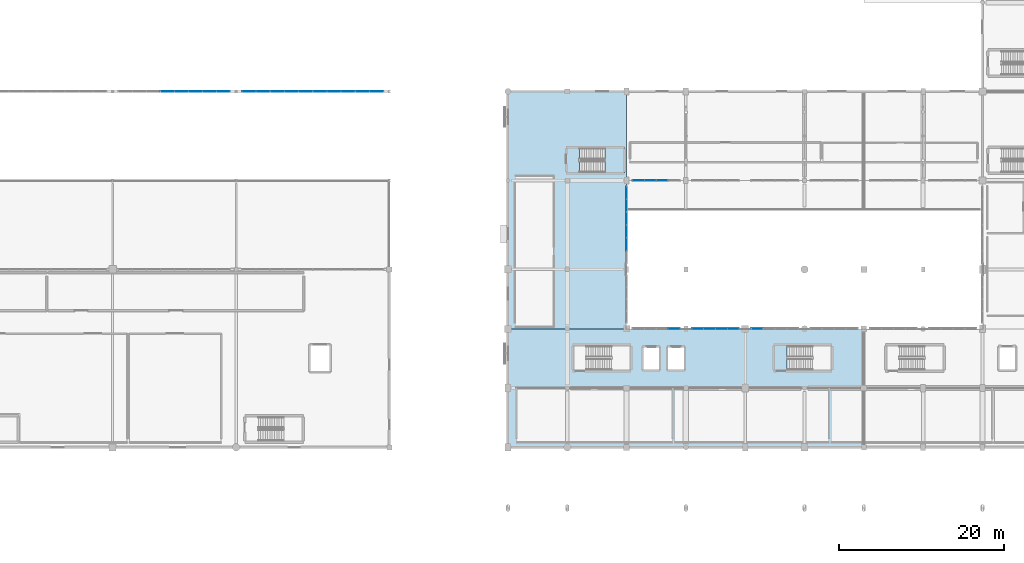
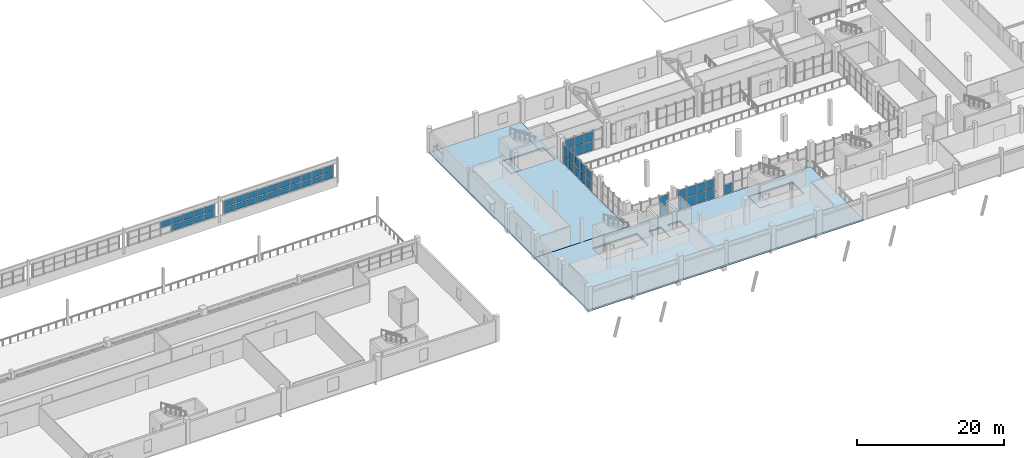
# One storey, part 54 of 92: 56 plates, 5 slabs, 8 elements without a shape of their own.
"""IFC4 building model written with IfcOpenShell, lengths in metres."""

from ifc_helpers import new_model, si_unit, direction, frame, origin, origin_2d, place, context, subcontext, project, spatial, polyline, rectangle, outline, extrude, material, layer, layer_set, type_object, element, aggregate, save


model = new_model("IFC4")

# Units and contexts
model_context = context("Model", 3, precision=1e-05, world=origin(), true_north=direction((0.0, 1.0)))
body_context = subcontext(model_context, "Body", "Model", "MODEL_VIEW")
ifc_project = project(units=[si_unit("LENGTHUNIT", "METRE"), si_unit("AREAUNIT", "SQUARE_METRE"), si_unit("VOLUMEUNIT", "CUBIC_METRE"), si_unit("PLANEANGLEUNIT", "RADIAN"), si_unit("MASSUNIT", "GRAM", prefix="KILO")], contexts=[model_context])

# Site, building, storey
site_placement = place(None, origin())
site = spatial("IfcSite", under=ifc_project, at=site_placement, CompositionType="ELEMENT")
building_placement = place(site_placement, origin())
building = spatial("IfcBuilding", under=site, at=building_placement, Name="Solanera Park Tramway Depot", CompositionType="ELEMENT")
storey_placement = place(building_placement, frame((0.0, 0.0, 4.800048828125)))
storey = spatial("IfcBuildingStorey", under=building, at=storey_placement, Name="L01", CompositionType="ELEMENT", Elevation=4.800048828125)

# Curtain wall, plates
ifc_material_1 = material(Name="Bronze-anodised thermally broken aluminium curtain wall", Category="aluminium")
curtain_wall_type_1 = type_object("IfcCurtainWallType", Name="Courtyard Cloister Unitised Curtain Wall", PredefinedType="NOTDEFINED", material=ifc_material_1)
curtain_wall_1_placement = place(storey_placement, origin())
curtain_wall_1 = element("IfcCurtainWall", 1, at=curtain_wall_1_placement, inside=storey, type_object=curtain_wall_type_1, Name="L01 Courtyard Cloister Unitised Curtain Wall #088", PredefinedType="NOTDEFINED")
ifc_material_2 = material(Name="Low-E laminated solar-control double glazing", Category="glass")
ifc_layer_1 = layer(ifc_material_2, 0.028076171875)
ifc_layer_set_1 = layer_set([ifc_layer_1], Name="Low-E laminated solar-control double glazing")
plate_type = type_object("IfcPlateType", Name="Curtain Wall Double Glazing Panel 28", PredefinedType="CURTAIN_PANEL", material=ifc_layer_set_1)
plate_1_placement = place(storey_placement, frame((128.15869140625, 25.199951171875, 0.11181640625), z_axis=(0.0, 0.0, 1.0), x_axis=(1.0, 0.0, 0.0)))
plate_1 = element("IfcPlate", 2, at=plate_1_placement, type_object=plate_type, Name="CW-L01-088 Glazing Panel R1.C4", PredefinedType="CURTAIN_PANEL", context=body_context, shape_type="SweptSolid", body=[
    extrude(rectangle(XDim=1.365478515625, YDim=0.028076171875, at=origin_2d()), origin(), (0.0, 0.0, 1.0), 1.510986328125),
])
plate_2_placement = place(storey_placement, frame((128.15869140625, 25.199951171875, 1.72705078125), z_axis=(0.0, 0.0, 1.0), x_axis=(1.0, 0.0, 0.0)))
plate_2 = element("IfcPlate", 3, at=plate_2_placement, type_object=plate_type, Name="CW-L01-088 Glazing Panel R2.C4", PredefinedType="CURTAIN_PANEL", context=body_context, shape_type="SweptSolid", body=[
    extrude(rectangle(XDim=1.365478515625, YDim=0.028076171875, at=origin_2d()), origin(), (0.0, 0.0, 1.0), 1.510986328125),
])
aggregate(curtain_wall_1, [plate_1, plate_2])

curtain_wall_2_placement = place(storey_placement, origin())
curtain_wall_2 = element("IfcCurtainWall", 4, at=curtain_wall_2_placement, inside=storey, type_object=curtain_wall_type_1, Name="L01 Courtyard Cloister Unitised Curtain Wall #089", PredefinedType="NOTDEFINED")
plate_3_placement = place(storey_placement, frame((131.041259765625, 25.199951171875, 0.11181640625), z_axis=(0.0, 0.0, 1.0), x_axis=(1.0, 0.0, 0.0)))
plate_3 = element("IfcPlate", 5, at=plate_3_placement, type_object=plate_type, Name="CW-L01-089 Glazing Panel R1.C1", PredefinedType="CURTAIN_PANEL", context=body_context, shape_type="SweptSolid", body=[
    extrude(rectangle(XDim=1.365478515625, YDim=0.028076171875, at=origin_2d()), origin(), (0.0, 0.0, 1.0), 1.510986328125),
])
plate_4_placement = place(storey_placement, frame((132.47509765625, 25.199951171875, 0.11181640625), z_axis=(0.0, 0.0, 1.0), x_axis=(1.0, 0.0, 0.0)))
plate_4 = element("IfcPlate", 6, at=plate_4_placement, type_object=plate_type, Name="CW-L01-089 Glazing Panel R1.C2", PredefinedType="CURTAIN_PANEL", context=body_context, shape_type="SweptSolid", body=[
    extrude(rectangle(XDim=1.39794921875, YDim=0.028076171875, at=origin_2d()), origin(), (0.0, 0.0, 1.0), 1.510986328125),
])
plate_5_placement = place(storey_placement, frame((133.925048828125, 25.199951171875, 0.11181640625), z_axis=(0.0, 0.0, 1.0), x_axis=(1.0, 0.0, 0.0)))
plate_5 = element("IfcPlate", 7, at=plate_5_placement, type_object=plate_type, Name="CW-L01-089 Glazing Panel R1.C3", PredefinedType="CURTAIN_PANEL", context=body_context, shape_type="SweptSolid", body=[
    extrude(rectangle(XDim=1.39794921875, YDim=0.028076171875, at=origin_2d()), origin(), (0.0, 0.0, 1.0), 1.510986328125),
])
plate_6_placement = place(storey_placement, frame((135.358642578125, 25.199951171875, 0.11181640625), z_axis=(0.0, 0.0, 1.0), x_axis=(1.0, 0.0, 0.0)))
plate_6 = element("IfcPlate", 8, at=plate_6_placement, type_object=plate_type, Name="CW-L01-089 Glazing Panel R1.C4", PredefinedType="CURTAIN_PANEL", context=body_context, shape_type="SweptSolid", body=[
    extrude(rectangle(XDim=1.365478515625, YDim=0.028076171875, at=origin_2d()), origin(), (0.0, 0.0, 1.0), 1.510986328125),
])
plate_7_placement = place(storey_placement, frame((131.041259765625, 25.199951171875, 1.72705078125), z_axis=(0.0, 0.0, 1.0), x_axis=(1.0, 0.0, 0.0)))
plate_7 = element("IfcPlate", 9, at=plate_7_placement, type_object=plate_type, Name="CW-L01-089 Glazing Panel R2.C1", PredefinedType="CURTAIN_PANEL", context=body_context, shape_type="SweptSolid", body=[
    extrude(rectangle(XDim=1.365478515625, YDim=0.028076171875, at=origin_2d()), origin(), (0.0, 0.0, 1.0), 1.510986328125),
])
plate_8_placement = place(storey_placement, frame((132.47509765625, 25.199951171875, 1.72705078125), z_axis=(0.0, 0.0, 1.0), x_axis=(1.0, 0.0, 0.0)))
plate_8 = element("IfcPlate", 10, at=plate_8_placement, type_object=plate_type, Name="CW-L01-089 Glazing Panel R2.C2", PredefinedType="CURTAIN_PANEL", context=body_context, shape_type="SweptSolid", body=[
    extrude(rectangle(XDim=1.39794921875, YDim=0.028076171875, at=origin_2d()), origin(), (0.0, 0.0, 1.0), 1.510986328125),
])
plate_9_placement = place(storey_placement, frame((133.925048828125, 25.199951171875, 1.72705078125), z_axis=(0.0, 0.0, 1.0), x_axis=(1.0, 0.0, 0.0)))
plate_9 = element("IfcPlate", 11, at=plate_9_placement, type_object=plate_type, Name="CW-L01-089 Glazing Panel R2.C3", PredefinedType="CURTAIN_PANEL", context=body_context, shape_type="SweptSolid", body=[
    extrude(rectangle(XDim=1.39794921875, YDim=0.028076171875, at=origin_2d()), origin(), (0.0, 0.0, 1.0), 1.510986328125),
])
plate_10_placement = place(storey_placement, frame((135.358642578125, 25.199951171875, 1.72705078125), z_axis=(0.0, 0.0, 1.0), x_axis=(1.0, 0.0, 0.0)))
plate_10 = element("IfcPlate", 12, at=plate_10_placement, type_object=plate_type, Name="CW-L01-089 Glazing Panel R2.C4", PredefinedType="CURTAIN_PANEL", context=body_context, shape_type="SweptSolid", body=[
    extrude(rectangle(XDim=1.365478515625, YDim=0.028076171875, at=origin_2d()), origin(), (0.0, 0.0, 1.0), 1.510986328125),
])
aggregate(curtain_wall_2, [plate_3, plate_4, plate_5, plate_6, plate_7, plate_8, plate_9, plate_10])

# Curtain wall, plate
curtain_wall_3_placement = place(storey_placement, origin())
curtain_wall_3 = element("IfcCurtainWall", 13, at=curtain_wall_3_placement, inside=storey, type_object=curtain_wall_type_1, Name="L01 Courtyard Cloister Unitised Curtain Wall #090", PredefinedType="NOTDEFINED")
plate_11_placement = place(storey_placement, frame((138.2412109375, 25.199951171875, 0.11181640625), z_axis=(0.0, 0.0, 1.0), x_axis=(1.0, 0.0, 0.0)))
plate_11 = element("IfcPlate", 14, at=plate_11_placement, type_object=plate_type, Name="CW-L01-090 Glazing Panel R1.C1", PredefinedType="CURTAIN_PANEL", context=body_context, shape_type="SweptSolid", body=[
    extrude(rectangle(XDim=1.365478515625, YDim=0.028076171875, at=origin_2d()), origin(), (0.0, 0.0, 1.0), 1.510986328125),
])
aggregate(curtain_wall_3, [plate_11])

# Curtain wall, plates
curtain_wall_4_placement = place(storey_placement, origin())
curtain_wall_4 = element("IfcCurtainWall", 15, at=curtain_wall_4_placement, inside=storey, type_object=curtain_wall_type_1, Name="L01 Courtyard Cloister Unitised Curtain Wall #094", PredefinedType="NOTDEFINED")
plate_12_placement = place(storey_placement, frame((126.72509765625, 43.199951171875, 0.11181640625), z_axis=(0.0, 0.0, 1.0), x_axis=(-1.0, 0.0, 0.0)))
plate_12 = element("IfcPlate", 16, at=plate_12_placement, type_object=plate_type, Name="CW-L01-094 Glazing Panel R1.C2", PredefinedType="CURTAIN_PANEL", context=body_context, shape_type="SweptSolid", body=[
    extrude(rectangle(XDim=1.39794921875, YDim=0.028076171875, at=origin_2d()), origin(), (0.0, 0.0, 1.0), 1.510986328125),
])
plate_13_placement = place(storey_placement, frame((125.27490234375, 43.199951171875, 0.11181640625), z_axis=(0.0, 0.0, 1.0), x_axis=(-1.0, 0.0, 0.0)))
plate_13 = element("IfcPlate", 17, at=plate_13_placement, type_object=plate_type, Name="CW-L01-094 Glazing Panel R1.C3", PredefinedType="CURTAIN_PANEL", context=body_context, shape_type="SweptSolid", body=[
    extrude(rectangle(XDim=1.39794921875, YDim=0.028076171875, at=origin_2d()), origin(), (0.0, 0.0, 1.0), 1.510986328125),
])
plate_14_placement = place(storey_placement, frame((123.84130859375, 43.199951171875, 0.11181640625), z_axis=(0.0, 0.0, 1.0), x_axis=(-1.0, 0.0, 0.0)))
plate_14 = element("IfcPlate", 18, at=plate_14_placement, type_object=plate_type, Name="CW-L01-094 Glazing Panel R1.C4", PredefinedType="CURTAIN_PANEL", context=body_context, shape_type="SweptSolid", body=[
    extrude(rectangle(XDim=1.365478515625, YDim=0.028076171875, at=origin_2d()), origin(), (0.0, 0.0, 1.0), 1.510986328125),
])
plate_15_placement = place(storey_placement, frame((126.72509765625, 43.199951171875, 1.72705078125), z_axis=(0.0, 0.0, 1.0), x_axis=(-1.0, 0.0, 0.0)))
plate_15 = element("IfcPlate", 19, at=plate_15_placement, type_object=plate_type, Name="CW-L01-094 Glazing Panel R2.C2", PredefinedType="CURTAIN_PANEL", context=body_context, shape_type="SweptSolid", body=[
    extrude(rectangle(XDim=1.39794921875, YDim=0.028076171875, at=origin_2d()), origin(), (0.0, 0.0, 1.0), 1.510986328125),
])
plate_16_placement = place(storey_placement, frame((125.27490234375, 43.199951171875, 1.72705078125), z_axis=(0.0, 0.0, 1.0), x_axis=(-1.0, 0.0, 0.0)))
plate_16 = element("IfcPlate", 20, at=plate_16_placement, type_object=plate_type, Name="CW-L01-094 Glazing Panel R2.C3", PredefinedType="CURTAIN_PANEL", context=body_context, shape_type="SweptSolid", body=[
    extrude(rectangle(XDim=1.39794921875, YDim=0.028076171875, at=origin_2d()), origin(), (0.0, 0.0, 1.0), 1.510986328125),
])
plate_17_placement = place(storey_placement, frame((123.84130859375, 43.199951171875, 1.72705078125), z_axis=(0.0, 0.0, 1.0), x_axis=(-1.0, 0.0, 0.0)))
plate_17 = element("IfcPlate", 21, at=plate_17_placement, type_object=plate_type, Name="CW-L01-094 Glazing Panel R2.C4", PredefinedType="CURTAIN_PANEL", context=body_context, shape_type="SweptSolid", body=[
    extrude(rectangle(XDim=1.365478515625, YDim=0.028076171875, at=origin_2d()), origin(), (0.0, 0.0, 1.0), 1.510986328125),
])
aggregate(curtain_wall_4, [plate_12, plate_13, plate_14, plate_15, plate_16, plate_17])

curtain_wall_5_placement = place(storey_placement, origin())
curtain_wall_5 = element("IfcCurtainWall", 22, at=curtain_wall_5_placement, inside=storey, type_object=curtain_wall_type_1, Name="L01 Courtyard Cloister Unitised Curtain Wall #102", PredefinedType="NOTDEFINED")
plate_18_placement = place(storey_placement, frame((122.39990234375, 35.449951171875, 0.11181640625), z_axis=(0.0, 0.0, 1.0), x_axis=(0.0, 1.0, 0.0)))
plate_18 = element("IfcPlate", 23, at=plate_18_placement, type_object=plate_type, Name="CW-L01-102 Glazing Panel R1.C2", PredefinedType="CURTAIN_PANEL", context=body_context, shape_type="SweptSolid", body=[
    extrude(rectangle(XDim=1.5146484375, YDim=0.028076171875, at=origin_2d()), origin(), (0.0, 0.0, 1.0), 1.510986328125),
])
plate_19_placement = place(storey_placement, frame((122.39990234375, 37.0166015625, 0.11181640625), z_axis=(0.0, 0.0, 1.0), x_axis=(0.0, 1.0, 0.0)))
plate_19 = element("IfcPlate", 24, at=plate_19_placement, type_object=plate_type, Name="CW-L01-102 Glazing Panel R1.C3", PredefinedType="CURTAIN_PANEL", context=body_context, shape_type="SweptSolid", body=[
    extrude(rectangle(XDim=1.5146484375, YDim=0.028076171875, at=origin_2d()), origin(), (0.0, 0.0, 1.0), 1.510986328125),
])
plate_20_placement = place(storey_placement, frame((122.39990234375, 38.583251953125, 0.11181640625), z_axis=(0.0, 0.0, 1.0), x_axis=(0.0, 1.0, 0.0)))
plate_20 = element("IfcPlate", 25, at=plate_20_placement, type_object=plate_type, Name="CW-L01-102 Glazing Panel R1.C4", PredefinedType="CURTAIN_PANEL", context=body_context, shape_type="SweptSolid", body=[
    extrude(rectangle(XDim=1.5146484375, YDim=0.028076171875, at=origin_2d()), origin(), (0.0, 0.0, 1.0), 1.510986328125),
])
plate_21_placement = place(storey_placement, frame((122.39990234375, 40.14990234375, 0.11181640625), z_axis=(0.0, 0.0, 1.0), x_axis=(0.0, 1.0, 0.0)))
plate_21 = element("IfcPlate", 26, at=plate_21_placement, type_object=plate_type, Name="CW-L01-102 Glazing Panel R1.C5", PredefinedType="CURTAIN_PANEL", context=body_context, shape_type="SweptSolid", body=[
    extrude(rectangle(XDim=1.5146484375, YDim=0.028076171875, at=origin_2d()), origin(), (0.0, 0.0, 1.0), 1.510986328125),
])
plate_22_placement = place(storey_placement, frame((122.39990234375, 41.700439453125, 0.11181640625), z_axis=(0.0, 0.0, 1.0), x_axis=(0.0, 1.0, 0.0)))
plate_22 = element("IfcPlate", 27, at=plate_22_placement, type_object=plate_type, Name="CW-L01-102 Glazing Panel R1.C6", PredefinedType="CURTAIN_PANEL", context=body_context, shape_type="SweptSolid", body=[
    extrude(rectangle(XDim=1.482177734375, YDim=0.028076171875, at=origin_2d()), origin(), (0.0, 0.0, 1.0), 1.510986328125),
])
plate_23_placement = place(storey_placement, frame((122.39990234375, 35.449951171875, 1.72705078125), z_axis=(0.0, 0.0, 1.0), x_axis=(0.0, 1.0, 0.0)))
plate_23 = element("IfcPlate", 28, at=plate_23_placement, type_object=plate_type, Name="CW-L01-102 Glazing Panel R2.C2", PredefinedType="CURTAIN_PANEL", context=body_context, shape_type="SweptSolid", body=[
    extrude(rectangle(XDim=1.5146484375, YDim=0.028076171875, at=origin_2d()), origin(), (0.0, 0.0, 1.0), 1.510986328125),
])
plate_24_placement = place(storey_placement, frame((122.39990234375, 37.0166015625, 1.72705078125), z_axis=(0.0, 0.0, 1.0), x_axis=(0.0, 1.0, 0.0)))
plate_24 = element("IfcPlate", 29, at=plate_24_placement, type_object=plate_type, Name="CW-L01-102 Glazing Panel R2.C3", PredefinedType="CURTAIN_PANEL", context=body_context, shape_type="SweptSolid", body=[
    extrude(rectangle(XDim=1.5146484375, YDim=0.028076171875, at=origin_2d()), origin(), (0.0, 0.0, 1.0), 1.510986328125),
])
plate_25_placement = place(storey_placement, frame((122.39990234375, 38.583251953125, 1.72705078125), z_axis=(0.0, 0.0, 1.0), x_axis=(0.0, 1.0, 0.0)))
plate_25 = element("IfcPlate", 30, at=plate_25_placement, type_object=plate_type, Name="CW-L01-102 Glazing Panel R2.C4", PredefinedType="CURTAIN_PANEL", context=body_context, shape_type="SweptSolid", body=[
    extrude(rectangle(XDim=1.5146484375, YDim=0.028076171875, at=origin_2d()), origin(), (0.0, 0.0, 1.0), 1.510986328125),
])
plate_26_placement = place(storey_placement, frame((122.39990234375, 40.14990234375, 1.72705078125), z_axis=(0.0, 0.0, 1.0), x_axis=(0.0, 1.0, 0.0)))
plate_26 = element("IfcPlate", 31, at=plate_26_placement, type_object=plate_type, Name="CW-L01-102 Glazing Panel R2.C5", PredefinedType="CURTAIN_PANEL", context=body_context, shape_type="SweptSolid", body=[
    extrude(rectangle(XDim=1.5146484375, YDim=0.028076171875, at=origin_2d()), origin(), (0.0, 0.0, 1.0), 1.510986328125),
])
plate_27_placement = place(storey_placement, frame((122.39990234375, 41.700439453125, 1.72705078125), z_axis=(0.0, 0.0, 1.0), x_axis=(0.0, 1.0, 0.0)))
plate_27 = element("IfcPlate", 32, at=plate_27_placement, type_object=plate_type, Name="CW-L01-102 Glazing Panel R2.C6", PredefinedType="CURTAIN_PANEL", context=body_context, shape_type="SweptSolid", body=[
    extrude(rectangle(XDim=1.482177734375, YDim=0.028076171875, at=origin_2d()), origin(), (0.0, 0.0, 1.0), 1.510986328125),
])
aggregate(curtain_wall_5, [plate_18, plate_19, plate_20, plate_21, plate_22, plate_23, plate_24, plate_25, plate_26, plate_27])

ifc_material_3 = material(Name="Bronze-anodised thermally broken aluminium curtain wall", Category="aluminium")
curtain_wall_type_2 = type_object("IfcCurtainWallType", Name="Workshop Daylight Ribbon Curtain Wall", PredefinedType="NOTDEFINED", material=ifc_material_3)
curtain_wall_6_placement = place(storey_placement, origin())
curtain_wall_6 = element("IfcCurtainWall", 33, at=curtain_wall_6_placement, inside=storey, type_object=curtain_wall_type_2, Name="L01 Workshop Daylight Ribbon Curtain Wall #148", PredefinedType="NOTDEFINED")
plate_28_placement = place(storey_placement, frame((73.433837890625, 54.0, 1.11181640625), z_axis=(0.0, 0.0, 1.0), x_axis=(-1.0, 0.0, 0.0)))
plate_28 = element("IfcPlate", 34, at=plate_28_placement, type_object=plate_type, Name="CW-L01-148 Glazing Panel R1.C1", PredefinedType="CURTAIN_PANEL", context=body_context, shape_type="SweptSolid", body=[
    extrude(rectangle(XDim=1.615478515625, YDim=0.028076171875, at=origin_2d()), origin(), (0.0, 0.0, 1.0), 0.986083984375),
])
plate_29_placement = place(storey_placement, frame((71.75, 54.0, 1.11181640625), z_axis=(0.0, 0.0, 1.0), x_axis=(-1.0, 0.0, 0.0)))
plate_29 = element("IfcPlate", 35, at=plate_29_placement, type_object=plate_type, Name="CW-L01-148 Glazing Panel R1.C2", PredefinedType="CURTAIN_PANEL", context=body_context, shape_type="SweptSolid", body=[
    extrude(rectangle(XDim=1.64794921875, YDim=0.028076171875, at=origin_2d()), origin(), (0.0, 0.0, 1.0), 0.986083984375),
])
plate_30_placement = place(storey_placement, frame((70.050048828125, 54.0, 1.11181640625), z_axis=(0.0, 0.0, 1.0), x_axis=(-1.0, 0.0, 0.0)))
plate_30 = element("IfcPlate", 36, at=plate_30_placement, type_object=plate_type, Name="CW-L01-148 Glazing Panel R1.C3", PredefinedType="CURTAIN_PANEL", context=body_context, shape_type="SweptSolid", body=[
    extrude(rectangle(XDim=1.64794921875, YDim=0.028076171875, at=origin_2d()), origin(), (0.0, 0.0, 1.0), 0.986083984375),
])
plate_31_placement = place(storey_placement, frame((68.35009765625, 54.0, 1.11181640625), z_axis=(0.0, 0.0, 1.0), x_axis=(-1.0, 0.0, 0.0)))
plate_31 = element("IfcPlate", 37, at=plate_31_placement, type_object=plate_type, Name="CW-L01-148 Glazing Panel R1.C4", PredefinedType="CURTAIN_PANEL", context=body_context, shape_type="SweptSolid", body=[
    extrude(rectangle(XDim=1.64794921875, YDim=0.028076171875, at=origin_2d()), origin(), (0.0, 0.0, 1.0), 0.986083984375),
])
plate_32_placement = place(storey_placement, frame((73.433837890625, 54.0, 2.2021484375), z_axis=(0.0, 0.0, 1.0), x_axis=(-1.0, 0.0, 0.0)))
plate_32 = element("IfcPlate", 38, at=plate_32_placement, type_object=plate_type, Name="CW-L01-148 Glazing Panel R2.C1", PredefinedType="CURTAIN_PANEL", context=body_context, shape_type="SweptSolid", body=[
    extrude(rectangle(XDim=1.615478515625, YDim=0.028076171875, at=origin_2d()), origin(), (0.0, 0.0, 1.0), 0.986083984375),
])
plate_33_placement = place(storey_placement, frame((71.75, 54.0, 2.2021484375), z_axis=(0.0, 0.0, 1.0), x_axis=(-1.0, 0.0, 0.0)))
plate_33 = element("IfcPlate", 39, at=plate_33_placement, type_object=plate_type, Name="CW-L01-148 Glazing Panel R2.C2", PredefinedType="CURTAIN_PANEL", context=body_context, shape_type="SweptSolid", body=[
    extrude(rectangle(XDim=1.64794921875, YDim=0.028076171875, at=origin_2d()), origin(), (0.0, 0.0, 1.0), 0.986083984375),
])
plate_34_placement = place(storey_placement, frame((70.050048828125, 54.0, 2.2021484375), z_axis=(0.0, 0.0, 1.0), x_axis=(-1.0, 0.0, 0.0)))
plate_34 = element("IfcPlate", 40, at=plate_34_placement, type_object=plate_type, Name="CW-L01-148 Glazing Panel R2.C3", PredefinedType="CURTAIN_PANEL", context=body_context, shape_type="SweptSolid", body=[
    extrude(rectangle(XDim=1.64794921875, YDim=0.028076171875, at=origin_2d()), origin(), (0.0, 0.0, 1.0), 0.986083984375),
])
plate_35_placement = place(storey_placement, frame((68.35009765625, 54.0, 2.2021484375), z_axis=(0.0, 0.0, 1.0), x_axis=(-1.0, 0.0, 0.0)))
plate_35 = element("IfcPlate", 41, at=plate_35_placement, type_object=plate_type, Name="CW-L01-148 Glazing Panel R2.C4", PredefinedType="CURTAIN_PANEL", context=body_context, shape_type="SweptSolid", body=[
    extrude(rectangle(XDim=1.64794921875, YDim=0.028076171875, at=origin_2d()), origin(), (0.0, 0.0, 1.0), 0.986083984375),
])
plate_36_placement = place(storey_placement, frame((66.64990234375, 54.0, 2.2021484375), z_axis=(0.0, 0.0, 1.0), x_axis=(-1.0, 0.0, 0.0)))
plate_36 = element("IfcPlate", 42, at=plate_36_placement, type_object=plate_type, Name="CW-L01-148 Glazing Panel R2.C5", PredefinedType="CURTAIN_PANEL", context=body_context, shape_type="SweptSolid", body=[
    extrude(rectangle(XDim=1.64794921875, YDim=0.028076171875, at=origin_2d()), origin(), (0.0, 0.0, 1.0), 0.986083984375),
])
aggregate(curtain_wall_6, [plate_28, plate_29, plate_30, plate_31, plate_32, plate_33, plate_34, plate_35, plate_36])

curtain_wall_7_placement = place(storey_placement, origin())
curtain_wall_7 = element("IfcCurtainWall", 43, at=curtain_wall_7_placement, inside=storey, type_object=curtain_wall_type_2, Name="L01 Workshop Daylight Ribbon Curtain Wall #150", PredefinedType="NOTDEFINED")
plate_37_placement = place(storey_placement, frame((92.023681640625, 54.0, 1.11181640625), z_axis=(0.0, 0.0, 1.0), x_axis=(-1.0, 0.0, 0.0)))
plate_37 = element("IfcPlate", 44, at=plate_37_placement, type_object=plate_type, Name="CW-L01-150 Glazing Panel R1.C1", PredefinedType="CURTAIN_PANEL", context=body_context, shape_type="SweptSolid", body=[
    extrude(rectangle(XDim=1.635498046875, YDim=0.028076171875, at=origin_2d()), origin(), (0.0, 0.0, 1.0), 0.986083984375),
])
plate_38_placement = place(storey_placement, frame((90.320068359375, 54.0, 1.11181640625), z_axis=(0.0, 0.0, 1.0), x_axis=(-1.0, 0.0, 0.0)))
plate_38 = element("IfcPlate", 45, at=plate_38_placement, type_object=plate_type, Name="CW-L01-150 Glazing Panel R1.C2", PredefinedType="CURTAIN_PANEL", context=body_context, shape_type="SweptSolid", body=[
    extrude(rectangle(XDim=1.66796875, YDim=0.028076171875, at=origin_2d()), origin(), (0.0, 0.0, 1.0), 0.986083984375),
])
plate_39_placement = place(storey_placement, frame((88.60009765625, 54.0, 1.11181640625), z_axis=(0.0, 0.0, 1.0), x_axis=(-1.0, 0.0, 0.0)))
plate_39 = element("IfcPlate", 46, at=plate_39_placement, type_object=plate_type, Name="CW-L01-150 Glazing Panel R1.C3", PredefinedType="CURTAIN_PANEL", context=body_context, shape_type="SweptSolid", body=[
    extrude(rectangle(XDim=1.66796875, YDim=0.028076171875, at=origin_2d()), origin(), (0.0, 0.0, 1.0), 0.986083984375),
])
plate_40_placement = place(storey_placement, frame((86.8798828125, 54.0, 1.11181640625), z_axis=(0.0, 0.0, 1.0), x_axis=(-1.0, 0.0, 0.0)))
plate_40 = element("IfcPlate", 47, at=plate_40_placement, type_object=plate_type, Name="CW-L01-150 Glazing Panel R1.C4", PredefinedType="CURTAIN_PANEL", context=body_context, shape_type="SweptSolid", body=[
    extrude(rectangle(XDim=1.66796875, YDim=0.028076171875, at=origin_2d()), origin(), (0.0, 0.0, 1.0), 0.986083984375),
])
plate_41_placement = place(storey_placement, frame((85.159912109375, 54.0, 1.11181640625), z_axis=(0.0, 0.0, 1.0), x_axis=(-1.0, 0.0, 0.0)))
plate_41 = element("IfcPlate", 48, at=plate_41_placement, type_object=plate_type, Name="CW-L01-150 Glazing Panel R1.C5", PredefinedType="CURTAIN_PANEL", context=body_context, shape_type="SweptSolid", body=[
    extrude(rectangle(XDim=1.66796875, YDim=0.028076171875, at=origin_2d()), origin(), (0.0, 0.0, 1.0), 0.986083984375),
])
plate_42_placement = place(storey_placement, frame((83.43994140625, 54.0, 1.11181640625), z_axis=(0.0, 0.0, 1.0), x_axis=(-1.0, 0.0, 0.0)))
plate_42 = element("IfcPlate", 49, at=plate_42_placement, type_object=plate_type, Name="CW-L01-150 Glazing Panel R1.C6", PredefinedType="CURTAIN_PANEL", context=body_context, shape_type="SweptSolid", body=[
    extrude(rectangle(XDim=1.66796875, YDim=0.028076171875, at=origin_2d()), origin(), (0.0, 0.0, 1.0), 0.986083984375),
])
plate_43_placement = place(storey_placement, frame((81.719970703125, 54.0, 1.11181640625), z_axis=(0.0, 0.0, 1.0), x_axis=(-1.0, 0.0, 0.0)))
plate_43 = element("IfcPlate", 50, at=plate_43_placement, type_object=plate_type, Name="CW-L01-150 Glazing Panel R1.C7", PredefinedType="CURTAIN_PANEL", context=body_context, shape_type="SweptSolid", body=[
    extrude(rectangle(XDim=1.66796875, YDim=0.028076171875, at=origin_2d()), origin(), (0.0, 0.0, 1.0), 0.986083984375),
])
plate_44_placement = place(storey_placement, frame((80.0, 54.0, 1.11181640625), z_axis=(0.0, 0.0, 1.0), x_axis=(-1.0, 0.0, 0.0)))
plate_44 = element("IfcPlate", 51, at=plate_44_placement, type_object=plate_type, Name="CW-L01-150 Glazing Panel R1.C8", PredefinedType="CURTAIN_PANEL", context=body_context, shape_type="SweptSolid", body=[
    extrude(rectangle(XDim=1.66796875, YDim=0.028076171875, at=origin_2d()), origin(), (0.0, 0.0, 1.0), 0.986083984375),
])
plate_45_placement = place(storey_placement, frame((78.280029296875, 54.0, 1.11181640625), z_axis=(0.0, 0.0, 1.0), x_axis=(-1.0, 0.0, 0.0)))
plate_45 = element("IfcPlate", 52, at=plate_45_placement, type_object=plate_type, Name="CW-L01-150 Glazing Panel R1.C9", PredefinedType="CURTAIN_PANEL", context=body_context, shape_type="SweptSolid", body=[
    extrude(rectangle(XDim=1.66796875, YDim=0.028076171875, at=origin_2d()), origin(), (0.0, 0.0, 1.0), 0.986083984375),
])
plate_46_placement = place(storey_placement, frame((76.576416015625, 54.0, 1.11181640625), z_axis=(0.0, 0.0, 1.0), x_axis=(-1.0, 0.0, 0.0)))
plate_46 = element("IfcPlate", 53, at=plate_46_placement, type_object=plate_type, Name="CW-L01-150 Glazing Panel R1.C10", PredefinedType="CURTAIN_PANEL", context=body_context, shape_type="SweptSolid", body=[
    extrude(rectangle(XDim=1.635498046875, YDim=0.028076171875, at=origin_2d()), origin(), (0.0, 0.0, 1.0), 0.986083984375),
])
plate_47_placement = place(storey_placement, frame((92.023681640625, 54.0, 2.2021484375), z_axis=(0.0, 0.0, 1.0), x_axis=(-1.0, 0.0, 0.0)))
plate_47 = element("IfcPlate", 54, at=plate_47_placement, type_object=plate_type, Name="CW-L01-150 Glazing Panel R2.C1", PredefinedType="CURTAIN_PANEL", context=body_context, shape_type="SweptSolid", body=[
    extrude(rectangle(XDim=1.635498046875, YDim=0.028076171875, at=origin_2d()), origin(), (0.0, 0.0, 1.0), 0.986083984375),
])
plate_48_placement = place(storey_placement, frame((90.320068359375, 54.0, 2.2021484375), z_axis=(0.0, 0.0, 1.0), x_axis=(-1.0, 0.0, 0.0)))
plate_48 = element("IfcPlate", 55, at=plate_48_placement, type_object=plate_type, Name="CW-L01-150 Glazing Panel R2.C2", PredefinedType="CURTAIN_PANEL", context=body_context, shape_type="SweptSolid", body=[
    extrude(rectangle(XDim=1.66796875, YDim=0.028076171875, at=origin_2d()), origin(), (0.0, 0.0, 1.0), 0.986083984375),
])
plate_49_placement = place(storey_placement, frame((88.60009765625, 54.0, 2.2021484375), z_axis=(0.0, 0.0, 1.0), x_axis=(-1.0, 0.0, 0.0)))
plate_49 = element("IfcPlate", 56, at=plate_49_placement, type_object=plate_type, Name="CW-L01-150 Glazing Panel R2.C3", PredefinedType="CURTAIN_PANEL", context=body_context, shape_type="SweptSolid", body=[
    extrude(rectangle(XDim=1.66796875, YDim=0.028076171875, at=origin_2d()), origin(), (0.0, 0.0, 1.0), 0.986083984375),
])
plate_50_placement = place(storey_placement, frame((86.8798828125, 54.0, 2.2021484375), z_axis=(0.0, 0.0, 1.0), x_axis=(-1.0, 0.0, 0.0)))
plate_50 = element("IfcPlate", 57, at=plate_50_placement, type_object=plate_type, Name="CW-L01-150 Glazing Panel R2.C4", PredefinedType="CURTAIN_PANEL", context=body_context, shape_type="SweptSolid", body=[
    extrude(rectangle(XDim=1.66796875, YDim=0.028076171875, at=origin_2d()), origin(), (0.0, 0.0, 1.0), 0.986083984375),
])
plate_51_placement = place(storey_placement, frame((85.159912109375, 54.0, 2.2021484375), z_axis=(0.0, 0.0, 1.0), x_axis=(-1.0, 0.0, 0.0)))
plate_51 = element("IfcPlate", 58, at=plate_51_placement, type_object=plate_type, Name="CW-L01-150 Glazing Panel R2.C5", PredefinedType="CURTAIN_PANEL", context=body_context, shape_type="SweptSolid", body=[
    extrude(rectangle(XDim=1.66796875, YDim=0.028076171875, at=origin_2d()), origin(), (0.0, 0.0, 1.0), 0.986083984375),
])
plate_52_placement = place(storey_placement, frame((83.43994140625, 54.0, 2.2021484375), z_axis=(0.0, 0.0, 1.0), x_axis=(-1.0, 0.0, 0.0)))
plate_52 = element("IfcPlate", 59, at=plate_52_placement, type_object=plate_type, Name="CW-L01-150 Glazing Panel R2.C6", PredefinedType="CURTAIN_PANEL", context=body_context, shape_type="SweptSolid", body=[
    extrude(rectangle(XDim=1.66796875, YDim=0.028076171875, at=origin_2d()), origin(), (0.0, 0.0, 1.0), 0.986083984375),
])
plate_53_placement = place(storey_placement, frame((81.719970703125, 54.0, 2.2021484375), z_axis=(0.0, 0.0, 1.0), x_axis=(-1.0, 0.0, 0.0)))
plate_53 = element("IfcPlate", 60, at=plate_53_placement, type_object=plate_type, Name="CW-L01-150 Glazing Panel R2.C7", PredefinedType="CURTAIN_PANEL", context=body_context, shape_type="SweptSolid", body=[
    extrude(rectangle(XDim=1.66796875, YDim=0.028076171875, at=origin_2d()), origin(), (0.0, 0.0, 1.0), 0.986083984375),
])
plate_54_placement = place(storey_placement, frame((80.0, 54.0, 2.2021484375), z_axis=(0.0, 0.0, 1.0), x_axis=(-1.0, 0.0, 0.0)))
plate_54 = element("IfcPlate", 61, at=plate_54_placement, type_object=plate_type, Name="CW-L01-150 Glazing Panel R2.C8", PredefinedType="CURTAIN_PANEL", context=body_context, shape_type="SweptSolid", body=[
    extrude(rectangle(XDim=1.66796875, YDim=0.028076171875, at=origin_2d()), origin(), (0.0, 0.0, 1.0), 0.986083984375),
])
plate_55_placement = place(storey_placement, frame((78.280029296875, 54.0, 2.2021484375), z_axis=(0.0, 0.0, 1.0), x_axis=(-1.0, 0.0, 0.0)))
plate_55 = element("IfcPlate", 62, at=plate_55_placement, type_object=plate_type, Name="CW-L01-150 Glazing Panel R2.C9", PredefinedType="CURTAIN_PANEL", context=body_context, shape_type="SweptSolid", body=[
    extrude(rectangle(XDim=1.66796875, YDim=0.028076171875, at=origin_2d()), origin(), (0.0, 0.0, 1.0), 0.986083984375),
])
plate_56_placement = place(storey_placement, frame((76.576416015625, 54.0, 2.2021484375), z_axis=(0.0, 0.0, 1.0), x_axis=(-1.0, 0.0, 0.0)))
plate_56 = element("IfcPlate", 63, at=plate_56_placement, type_object=plate_type, Name="CW-L01-150 Glazing Panel R2.C10", PredefinedType="CURTAIN_PANEL", context=body_context, shape_type="SweptSolid", body=[
    extrude(rectangle(XDim=1.635498046875, YDim=0.028076171875, at=origin_2d()), origin(), (0.0, 0.0, 1.0), 0.986083984375),
])
aggregate(curtain_wall_7, [plate_37, plate_38, plate_39, plate_40, plate_41, plate_42, plate_43, plate_44, plate_45, plate_46, plate_47, plate_48, plate_49, plate_50, plate_51, plate_52, plate_53, plate_54, plate_55, plate_56])

# Slabs
ifc_material_4 = material(Name="Concrete N40 (C40/50)", Category="concrete")
ifc_layer_2 = layer(ifc_material_4, 0.27490234375)
ifc_layer_set_2 = layer_set([ifc_layer_2], Name="Concrete N40 (C40/50)")
slab_type_1 = type_object("IfcSlabType", Name="Slab Floor 275", PredefinedType="FLOOR", material=ifc_layer_set_2)
slab_1_placement = place(storey_placement, frame((0.0, 0.0, -0.275146484375)))
element("IfcSlab", 64, at=slab_1_placement, inside=storey, type_object=slab_type_1, Name="L01 Structural Slab SL-L01-V4SW", PredefinedType="FLOOR", context=body_context, shape_type="SweptSolid", body=[
    extrude(outline(polyline([(151.14990234375, 10.800048828125), (108.0, 10.800048828125), (108.0, 25.199951171875), (151.14990234375, 25.199951171875), (151.14990234375, 10.800048828125)]), holes=[polyline([(122.800048828125, 20.074951171875), (122.800048828125, 23.22509765625), (115.875, 23.22509765625), (115.875, 20.074951171875), (122.800048828125, 20.074951171875)]), polyline([(140.27490234375, 20.074951171875), (147.199951171875, 20.074951171875), (147.199951171875, 23.22509765625), (140.27490234375, 23.22509765625), (140.27490234375, 20.074951171875)]), polyline([(124.449951171875, 22.949951171875), (124.449951171875, 20.25), (126.35009765625, 20.25), (126.35009765625, 22.949951171875), (124.449951171875, 22.949951171875)]), polyline([(129.35009765625, 22.949951171875), (127.449951171875, 22.949951171875), (127.449951171875, 20.25), (129.35009765625, 20.25), (129.35009765625, 22.949951171875)])]), origin(), (0.0, 0.0, 1.0), 0.275146484375),
])
slab_2_placement = place(storey_placement, frame((0.0, 0.0, -0.275146484375)))
element("IfcSlab", 65, at=slab_2_placement, inside=storey, type_object=slab_type_1, Name="L01 Structural Slab SL-L01-V4W", PredefinedType="FLOOR", context=body_context, shape_type="SweptSolid", body=[
    extrude(outline(polyline([(108.0, 25.199951171875), (108.0, 54.0), (122.39990234375, 54.0), (122.39990234375, 25.199951171875), (108.0, 25.199951171875)]), holes=[polyline([(122.0, 47.22509765625), (115.074951171875, 47.22509765625), (115.074951171875, 44.074951171875), (122.0, 44.074951171875), (122.0, 47.22509765625)])]), origin(), (0.0, 0.0, 1.0), 0.275146484375),
])
ifc_material_5 = material(Name="Concrete N40 (C40/50)", Category="concrete")
ifc_layer_3 = layer(ifc_material_5, 0.27490234375)
ifc_layer_set_3 = layer_set([ifc_layer_3], Name="Concrete N40 (C40/50)")
slab_type_2 = type_object("IfcSlabType", Name="Slab Stair Floor Landing 275", PredefinedType="LANDING", material=ifc_layer_set_3)
slab_3_placement = place(storey_placement, frame((0.0, 0.0, -0.275146484375)))
element("IfcSlab", 66, at=slab_3_placement, inside=storey, type_object=slab_type_2, Name="ST-02 L01 Floor Landing", PredefinedType="LANDING", context=body_context, shape_type="SweptSolid", body=[
    extrude(outline(polyline([(140.280029296875, 20.080078125), (141.89990234375, 20.080078125), (141.89990234375, 23.219970703125), (140.280029296875, 23.219970703125), (140.280029296875, 20.080078125)])), origin(), (0.0, 0.0, 1.0), 0.275146484375),
])
slab_4_placement = place(storey_placement, frame((0.0, 0.0, -0.275146484375)))
element("IfcSlab", 67, at=slab_4_placement, inside=storey, type_object=slab_type_2, Name="ST-07 L01 Floor Landing", PredefinedType="LANDING", context=body_context, shape_type="SweptSolid", body=[
    extrude(outline(polyline([(115.080078125, 44.080078125), (116.699951171875, 44.080078125), (116.699951171875, 47.219970703125), (115.080078125, 47.219970703125), (115.080078125, 44.080078125)])), origin(), (0.0, 0.0, 1.0), 0.275146484375),
])

# Stair, slab
ifc_material_6 = material(Name="Concrete N40 (C40/50)", Category="concrete")
stair_type = type_object("IfcStairType", Name="Stair Half-Turn Dogleg 4200", PredefinedType="HALF_TURN_STAIR", material=ifc_material_6)
stair_placement = place(storey_placement, origin())
stair = element("IfcStair", 68, at=stair_placement, inside=storey, type_object=stair_type, Name="ST-07 L01 Half-Turn Stair", PredefinedType="HALF_TURN_STAIR")
ifc_material_7 = material(Name="Concrete N40 (C40/50)", Category="concrete")
ifc_layer_4 = layer(ifc_material_7, 0.199951171875)
ifc_layer_set_4 = layer_set([ifc_layer_4], Name="Concrete N40 (C40/50)")
slab_type_3 = type_object("IfcSlabType", Name="Slab Stair Landing 200", PredefinedType="LANDING", material=ifc_layer_set_4)
slab_5_placement = place(storey_placement, frame((0.0, 0.0, 1.89990234375)))
slab_5 = element("IfcSlab", 69, at=slab_5_placement, type_object=slab_type_3, Name="ST-07 L01 Half-Landing 1", PredefinedType="LANDING", context=body_context, shape_type="SweptSolid", body=[
    extrude(outline(polyline([(119.780029296875, 44.080078125), (122.1201171875, 44.080078125), (122.1201171875, 47.219970703125), (119.780029296875, 47.219970703125), (119.780029296875, 44.080078125)])), origin(), (0.0, 0.0, 1.0), 0.199951171875),
])
aggregate(stair, [slab_5])

save(model, "model.ifc")
